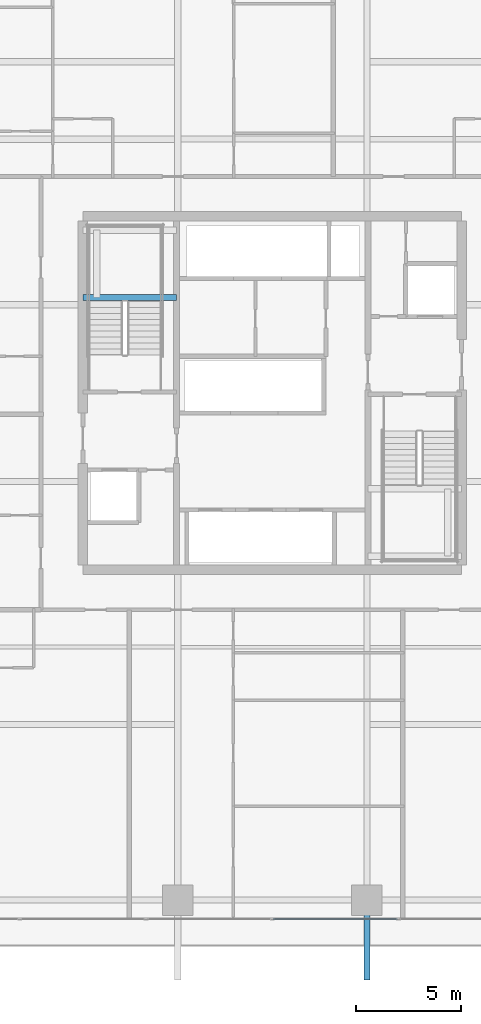
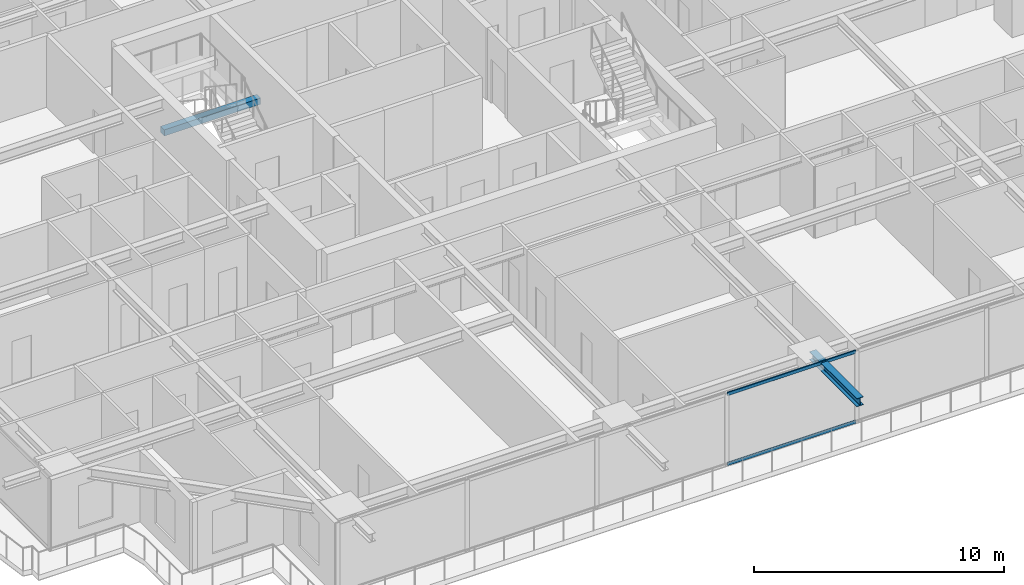
# One storey, part 9 of 35: 2 beams, 2 members, 1 element without a shape of its own.
"""IFC4 building model written with IfcOpenShell, lengths in metres."""

from ifc_helpers import new_model, si_unit, direction, frame, origin, origin_2d, place, context, subcontext, project, spatial, rectangle, hollow_rectangle, i_section, extrude, source, transform, mapped, material, layer, layer_set, material_profile, profile_set, type_object, element, aggregate, save


model = new_model("IFC4")

# Units and contexts
model_context = context("Model", 3, precision=1e-05, world=origin(), true_north=direction((0.0, 1.0)))
body_context = subcontext(model_context, "Body", "Model", "MODEL_VIEW")
ifc_project = project(units=[si_unit("LENGTHUNIT", "METRE"), si_unit("AREAUNIT", "SQUARE_METRE"), si_unit("VOLUMEUNIT", "CUBIC_METRE"), si_unit("PLANEANGLEUNIT", "RADIAN"), si_unit("MASSUNIT", "GRAM", prefix="KILO")], contexts=[model_context])

# Site, building, storey
site_placement = place(None, origin())
site = spatial("IfcSite", under=ifc_project, at=site_placement, CompositionType="ELEMENT")
building_placement = place(site_placement, origin())
building = spatial("IfcBuilding", under=site, at=building_placement, Name="Serunith Strait Residences", CompositionType="ELEMENT")
storey_placement = place(building_placement, frame((0.0, 0.0, 71.699951171875)))
storey = spatial("IfcBuildingStorey", under=building, at=storey_placement, Name="L17", CompositionType="ELEMENT", Elevation=71.699951171875)

# Beams
ifc_material_1 = material(Name="Steel S355J2", Category="steel")
ifc_material_profile_1 = material_profile(ifc_material_1, i_section(OverallWidth=0.300048828125, OverallDepth=0.39990234375, WebThickness=0.013427734375, FlangeThickness=0.02392578125, FilletRadius=0.027099609375, at=origin_2d()), Name="HEB 400")
ifc_profile_set_1 = profile_set([ifc_material_profile_1], Name="Steel S355J2")
beam_type_1 = type_object("IfcBeamType", Name="BM-HEB400", PredefinedType="BEAM", material=ifc_profile_set_1)
shared_shape_1 = source(origin(), body_context, "Body", "SweptSolid", [
    extrude(i_section(OverallWidth=0.300048828125, OverallDepth=0.39990234375, WebThickness=0.013427734375, FlangeThickness=0.02392578125, FilletRadius=0.027099609375, at=origin_2d()), origin(), (0.0, 0.0, 1.0), 3.800048828125),
])
beam_1_placement = place(storey_placement, frame((36.89990234375, 1.10009765625, 3.257080078125), z_axis=(0.0, -1.0, 0.0), x_axis=(1.0, 0.0, 0.0)))
element("IfcBeam", 1, at=beam_1_placement, inside=storey, type_object=beam_type_1, Name="L18 Cantilevered Balcony Rib TC-S3", PredefinedType="BEAM", context=body_context, shape_type="MappedRepresentation", body=[
    mapped(shared_shape_1, transform((0.0, 0.0, 0.0), scale=1.0)),
])
ifc_material_2 = material(Name="Concrete C60/75", Category="concrete")
ifc_material_profile_2 = material_profile(ifc_material_2, rectangle(XDim=0.300048828125, YDim=0.300048828125, at=origin_2d()), Name="RC 300x300")
ifc_profile_set_2 = profile_set([ifc_material_profile_2], Name="Concrete C60/75")
beam_type_2 = type_object("IfcBeamType", Name="BM-LAND-300x300", PredefinedType="BEAM", material=ifc_profile_set_2)
shared_shape_2 = source(origin(), body_context, "Body", "SweptSolid", [
    extrude(rectangle(XDim=0.300048828125, YDim=0.300048828125, at=origin_2d()), origin(), (0.0, 0.0, 1.0), 4.4501953125),
])
beam_2_placement = place(storey_placement, frame((23.39990234375, 29.75, 1.525146484375), z_axis=(1.0, 0.0, 0.0), x_axis=(0.0, 1.0, 0.0)))
element("IfcBeam", 2, at=beam_2_placement, inside=storey, type_object=beam_type_2, Name="L17 ST-1 Landing Support Beam 1", PredefinedType="BEAM", context=body_context, shape_type="MappedRepresentation", body=[
    mapped(shared_shape_2, transform((0.0, 0.0, 0.0), scale=1.0)),
])

# Curtain wall, members
ifc_material_3 = material(Name="Pale-Champagne Anodised Aluminium", Category="aluminium")
ifc_layer = layer(ifc_material_3, 0.199951171875, Name="Pale-Champagne Anodised Aluminium")
ifc_layer_set = layer_set([ifc_layer], Name="Pale-Champagne Anodised Aluminium")
curtain_wall_type = type_object("IfcCurtainWallType", Name="CW-SYS1", PredefinedType="NOTDEFINED", material=ifc_layer_set)
curtain_wall_placement = place(storey_placement, origin())
curtain_wall = element("IfcCurtainWall", 3, at=curtain_wall_placement, inside=storey, type_object=curtain_wall_type, Name="L17 S Unitised Fritted Curtain Wall", PredefinedType="NOTDEFINED")
ifc_material_profile_3 = material_profile(ifc_material_3, hollow_rectangle(XDim=0.06005859375, YDim=0.159912109375, WallThickness=0.00341796875, InnerFilletRadius=0.00537109375, OuterFilletRadius=0.0087890625, at=origin_2d()), Name="ALU 160x60x3.5")
ifc_profile_set_3 = profile_set([ifc_material_profile_3], Name="Pale-Champagne Anodised Aluminium")
member_type = type_object("IfcMemberType", Name="CW-SYS1-TRAN", PredefinedType="USERDEFINED", material=ifc_profile_set_3)
shared_shape_3 = source(origin(), body_context, "Body", "SweptSolid", [
    extrude(hollow_rectangle(XDim=0.06005859375, YDim=0.159912109375, WallThickness=0.00341796875, InnerFilletRadius=0.00537109375, OuterFilletRadius=0.0087890625, at=origin_2d()), origin(), (0.0, 0.0, 1.0), 5.929931640625),
])
member_1_placement = place(storey_placement, frame((32.43505859375, 0.199951171875, 0.030029296875), z_axis=(1.0, 0.0, 0.0), x_axis=(0.0, 1.0, 0.0)))
member_1 = element("IfcMember", 4, at=member_1_placement, type_object=member_type, Name="CW-1 transom 4.1", ObjectType="TRANSOM", PredefinedType="USERDEFINED", context=body_context, shape_type="MappedRepresentation", body=[
    mapped(shared_shape_3, transform((0.0, 0.0, 0.0), scale=1.0)),
])
member_2_placement = place(storey_placement, frame((32.43505859375, 0.199951171875, 3.445068359375), z_axis=(1.0, 0.0, 0.0), x_axis=(0.0, 1.0, 0.0)))
member_2 = element("IfcMember", 5, at=member_2_placement, type_object=member_type, Name="CW-1 transom 4.2", ObjectType="TRANSOM", PredefinedType="USERDEFINED", context=body_context, shape_type="MappedRepresentation", body=[
    mapped(shared_shape_3, transform((0.0, 0.0, 0.0), scale=1.0)),
])
aggregate(curtain_wall, [member_1, member_2])

save(model, "model.ifc")
